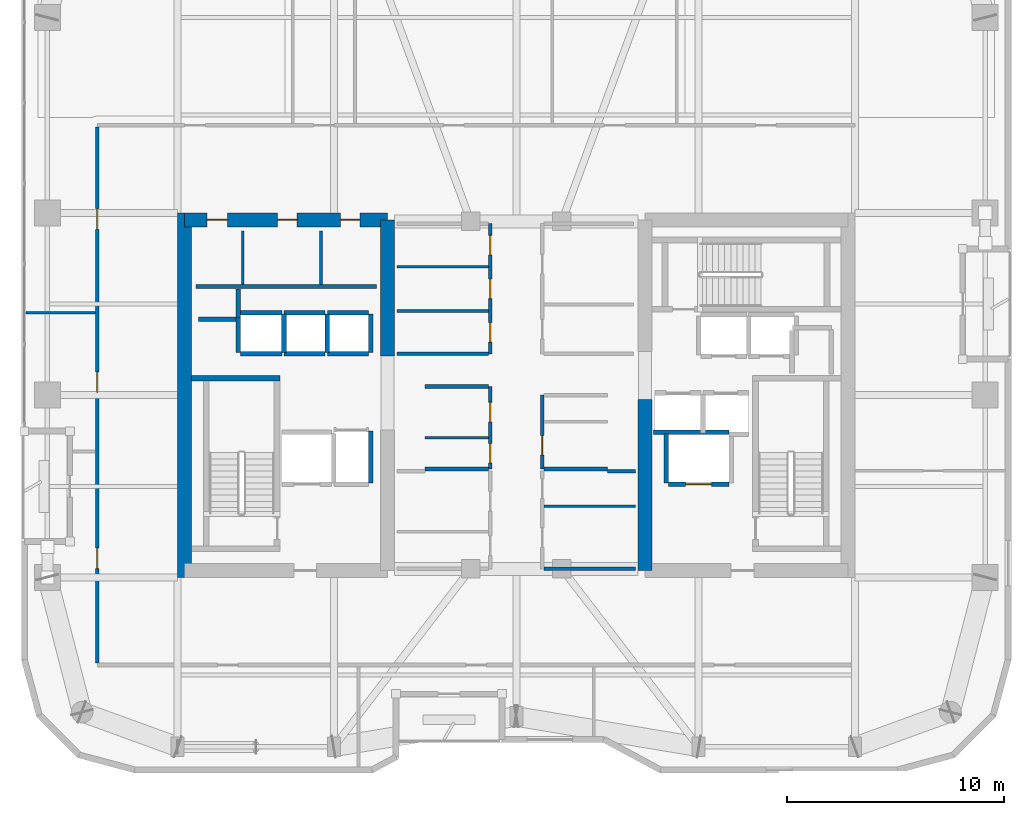
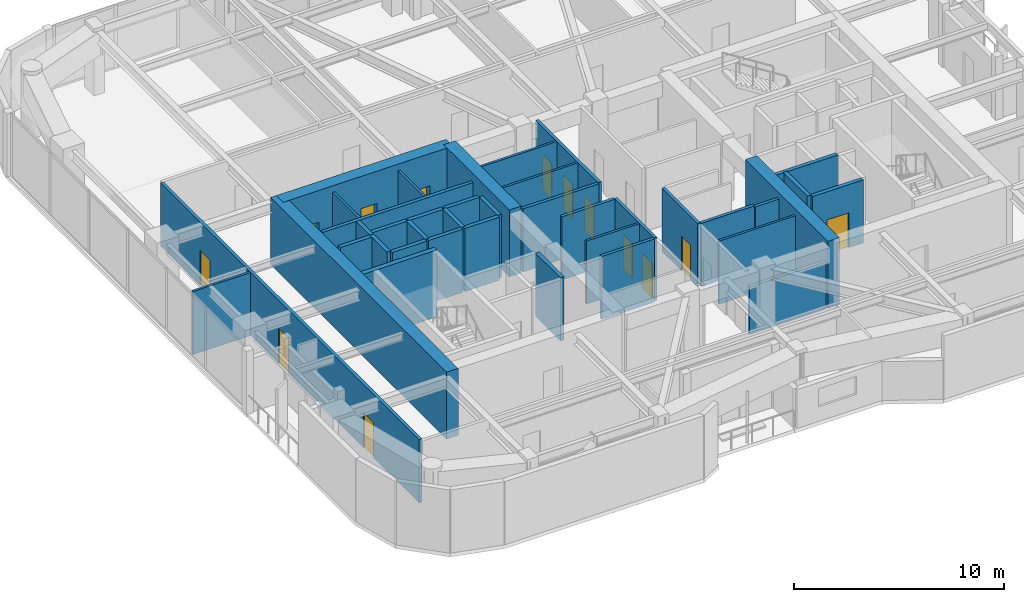
# One storey, part 16 of 21: 39 walls, 13 doors, 13 openings.
"""IFC4 building model written with IfcOpenShell, lengths in metres."""

from ifc_helpers import new_model, si_unit, direction, frame, frame_2d, origin, place, context, subcontext, project, spatial, rectangle, extrude, material, layer, layer_set, type_object, element, fill, save


model = new_model("IFC4")

# Units and contexts
model_context = context("Model", 3, precision=1e-05, world=origin(), true_north=direction((0.0, 1.0)))
body_context = subcontext(model_context, "Body", "Model", "MODEL_VIEW")
ifc_project = project(units=[si_unit("LENGTHUNIT", "METRE"), si_unit("AREAUNIT", "SQUARE_METRE"), si_unit("VOLUMEUNIT", "CUBIC_METRE"), si_unit("PLANEANGLEUNIT", "RADIAN"), si_unit("MASSUNIT", "GRAM", prefix="KILO")], contexts=[model_context])

# Site, building, storey
site_placement = place(None, origin())
site = spatial("IfcSite", under=ifc_project, at=site_placement, CompositionType="ELEMENT")
building_placement = place(site_placement, origin())
building = spatial("IfcBuilding", under=site, at=building_placement, Name="Kiyonajd Concourse Tower", CompositionType="ELEMENT")
storey_placement = place(building_placement, frame((0.0, 0.0, 219.300048828125)))
storey = spatial("IfcBuildingStorey", under=building, at=storey_placement, Name="L55", CompositionType="ELEMENT", Elevation=219.300048828125)

# Walls
ifc_material_1 = material(Name="Concrete C60/75", Category="concrete")
ifc_layer_1 = layer(ifc_material_1, 0.64990234375)
ifc_layer_set_1 = layer_set([ifc_layer_1], Name="Concrete C60/75")
wall_type_1 = type_object("IfcWallType", Name="WL-CORE-650", PredefinedType="SHEAR", material=ifc_layer_set_1)
wall_1_placement = place(storey_placement, frame((32.72509765625, 27.60009765625, 0.0), z_axis=(0.0, 0.0, 1.0), x_axis=(0.0, 1.0, 0.0)))
element("IfcWall", 1, at=wall_1_placement, inside=storey, type_object=wall_type_1, Name="L55 West Core Outer Shear Wall", PredefinedType="SHEAR", context=body_context, shape_type="SweptSolid", body=[
    extrude(rectangle(XDim=16.7998046875, YDim=0.64990234375, at=frame_2d((8.39990234375, 0.0))), origin(), (0.0, 0.0, 1.0), 3.89990234375),
])
wall_2_placement = place(storey_placement, frame((42.074951171875, 37.800048828125, 0.0), z_axis=(0.0, 0.0, 1.0), x_axis=(0.0, 1.0, 0.0)))
element("IfcWall", 2, at=wall_2_placement, inside=storey, type_object=wall_type_1, Name="L55 West Core Inner North Shear Wall", PredefinedType="SHEAR", context=body_context, shape_type="SweptSolid", body=[
    extrude(rectangle(XDim=6.27490234375, YDim=0.64990234375, at=frame_2d((3.137451171875, 0.0))), origin(), (0.0, 0.0, 1.0), 3.89990234375),
])

# Wall, openings, doors
wall_3_placement = place(storey_placement, frame((32.72509765625, 44.074951171875, 0.0), z_axis=(0.0, 0.0, 1.0), x_axis=(1.0, 0.0, 0.0)))
wall_3 = element("IfcWall", 3, at=wall_3_placement, inside=storey, type_object=wall_type_1, Name="L55 West Core North Shear Wall", PredefinedType="SHEAR", context=body_context, shape_type="SweptSolid", body=[
    extrude(rectangle(XDim=9.349853515625, YDim=0.64990234375, at=frame_2d((4.6748046875, 0.0))), origin(), (0.0, 0.0, 1.0), 3.89990234375),
])
opening_1_placement = place(wall_3_placement, frame((1.02490234375, 0.0, 0.0)))
opening_1 = element("IfcOpeningElement", 4, at=opening_1_placement, cuts=wall_3, Name="Opening DI1", PredefinedType="OPENING", context=body_context, shape_type="SweptSolid", body=[
    extrude(rectangle(XDim=0.949951171875, YDim=2.0400390625, at=frame_2d((0.47509765625, 1.02001953125))), frame((0.0, 0.3349609375, 0.0), z_axis=(0.0, -1.0, 0.0), x_axis=(1.0, 0.0, 0.0)), (0.0, 0.0, 1.0), 0.669921875),
])
opening_2_placement = place(wall_3_placement, frame((4.27490234375, 0.0, 0.0)))
opening_2 = element("IfcOpeningElement", 5, at=opening_2_placement, cuts=wall_3, Name="Opening DI2", PredefinedType="OPENING", context=body_context, shape_type="SweptSolid", body=[
    extrude(rectangle(XDim=0.89990234375, YDim=2.02001953125, at=frame_2d((0.449951171875, 1.010009765625))), frame((0.0, 0.3349609375, 0.0), z_axis=(0.0, -1.0, 0.0), x_axis=(1.0, 0.0, 0.0)), (0.0, 0.0, 1.0), 0.669921875),
])
opening_3_placement = place(wall_3_placement, frame((7.175048828125, 0.0, 0.0)))
opening_3 = element("IfcOpeningElement", 6, at=opening_3_placement, cuts=wall_3, Name="Opening DI2", PredefinedType="OPENING", context=body_context, shape_type="SweptSolid", body=[
    extrude(rectangle(XDim=0.89990234375, YDim=2.02001953125, at=frame_2d((0.449951171875, 1.010009765625))), frame((0.0, 0.3349609375, 0.0), z_axis=(0.0, -1.0, 0.0), x_axis=(1.0, 0.0, 0.0)), (0.0, 0.0, 1.0), 0.669921875),
])
ifc_material_2 = material(Name="Natural Oak Acoustic Timber Veneer", Category="wood")
door_type_1 = type_object("IfcDoorType", Name="DR-INT-900", OperationType="NOTDEFINED", PredefinedType="DOOR", material=ifc_material_2)
door_1_placement = place(opening_2_placement, origin())
door_1 = element("IfcDoor", 7, at=door_1_placement, inside=storey, type_object=door_type_1, Name="L55 Male Restroom Door", OperationType="SINGLE_SWING_RIGHT", OverallHeight=2.02001953125, OverallWidth=0.89990234375, PredefinedType="DOOR", context=body_context, shape_type="SweptSolid", body=[
    extrude(rectangle(XDim=0.89990234375, YDim=2.02001953125, at=frame_2d((0.449951171875, 1.010009765625))), frame((0.0, 0.02490234375, 0.0), z_axis=(0.0, -1.0, 0.0), x_axis=(1.0, 0.0, 0.0)), (0.0, 0.0, 1.0), 0.050048828125),
])
fill(opening_2, door_1)
door_2_placement = place(opening_3_placement, origin())
door_2 = element("IfcDoor", 8, at=door_2_placement, inside=storey, type_object=door_type_1, Name="L55 Female Restroom Door", OperationType="SINGLE_SWING_LEFT", OverallHeight=2.02001953125, OverallWidth=0.89990234375, PredefinedType="DOOR", context=body_context, shape_type="SweptSolid", body=[
    extrude(rectangle(XDim=0.89990234375, YDim=2.02001953125, at=frame_2d((0.449951171875, 1.010009765625))), frame((0.0, 0.02490234375, 0.0), z_axis=(0.0, -1.0, 0.0), x_axis=(1.0, 0.0, 0.0)), (0.0, 0.0, 1.0), 0.050048828125),
])
fill(opening_3, door_2)
door_type_2 = type_object("IfcDoorType", Name="DR-INT-950", OperationType="NOTDEFINED", PredefinedType="DOOR", material=ifc_material_2)
door_3_placement = place(opening_1_placement, origin())
door_3 = element("IfcDoor", 9, at=door_3_placement, inside=storey, type_object=door_type_2, Name="L55 Single User Accessible WC Door", OperationType="SINGLE_SWING_LEFT", OverallHeight=2.0400390625, OverallWidth=0.949951171875, PredefinedType="DOOR", context=body_context, shape_type="SweptSolid", body=[
    extrude(rectangle(XDim=0.949951171875, YDim=2.0400390625, at=frame_2d((0.47509765625, 1.02001953125))), frame((0.0, 0.02490234375, 0.0), z_axis=(0.0, -1.0, 0.0), x_axis=(1.0, 0.0, 0.0)), (0.0, 0.0, 1.0), 0.050048828125),
])
fill(opening_1, door_3)

# Walls
wall_4_placement = place(storey_placement, frame((53.925048828125, 27.925048828125, 0.0), z_axis=(0.0, 0.0, 1.0), x_axis=(0.0, 1.0, 0.0)))
element("IfcWall", 10, at=wall_4_placement, inside=storey, type_object=wall_type_1, Name="L55 East Core Inner South Shear Wall", PredefinedType="SHEAR", context=body_context, shape_type="SweptSolid", body=[
    extrude(rectangle(XDim=7.875, YDim=0.64990234375, at=frame_2d((3.9375, 0.0))), origin(), (0.0, 0.0, 1.0), 3.89990234375),
])
ifc_material_3 = material(Name="Gypsum Board on Cold-Formed Steel Stud", Category="steel")
ifc_layer_2 = layer(ifc_material_3, 0.125)
ifc_layer_set_2 = layer_set([ifc_layer_2], Name="Gypsum Board on Cold-Formed Steel Stud")
wall_type_2 = type_object("IfcWallType", Name="WL-PART-125", PredefinedType="PARTITIONING", material=ifc_layer_set_2)
for number, where, z_axis, x_axis, name in (
    (11, (35.39990234375, 41.094970703125, 0.0), (0.0, 0.0, 1.0), (0.0, 1.0, 0.0), "L55 Interior Partition Wall"),
    (12, (39.0, 41.094970703125, 0.0), (0.0, 0.0, 1.0), (0.0, 1.0, 0.0), "L55 Interior Partition Wall"),
):
    element("IfcWall", number, at=place(storey_placement, frame(where, z_axis=z_axis, x_axis=x_axis)), inside=storey, type_object=wall_type_2, Name=name, PredefinedType="PARTITIONING", context=body_context, shape_type="SweptSolid", body=[
        extrude(rectangle(XDim=2.455078125, YDim=0.125, at=frame_2d((1.2275390625, 0.0))), origin(), (0.0, 0.0, 1.0), 3.679931640625),
    ])
wall_5_placement = place(storey_placement, frame((43.800048828125, 34.0439453125, 0.0), z_axis=(0.0, 0.0, 1.0), x_axis=(1.0, 0.0, 0.0)))
element("IfcWall", 13, at=wall_5_placement, inside=storey, type_object=wall_type_2, Name="L55 Interior Partition Wall", PredefinedType="PARTITIONING", context=body_context, shape_type="SweptSolid", body=[
    extrude(rectangle(XDim=2.912841796875, YDim=0.125, at=frame_2d((1.45654296875, 0.0))), origin(), (0.0, 0.0, 1.0), 3.679931640625),
])
for number, where, z_axis, x_axis, name in (
    (14, (49.287109375, 30.8798828125, 0.0), (0.0, 0.0, 1.0), (1.0, 0.0, 0.0), "L55 Interior Partition Wall"),
    (15, (42.5, 39.8798828125, 0.0), (0.0, 0.0, 1.0), (1.0, 0.0, 0.0), "L55 Interior Partition Wall"),
    (16, (42.5, 41.919921875, 0.0), (0.0, 0.0, 1.0), (1.0, 0.0, 0.0), "L55 Interior Partition Wall"),
):
    element("IfcWall", number, at=place(storey_placement, frame(where, z_axis=z_axis, x_axis=x_axis)), inside=storey, type_object=wall_type_2, Name=name, PredefinedType="PARTITIONING", context=body_context, shape_type="SweptSolid", body=[
        extrude(rectangle(XDim=4.212890625, YDim=0.125, at=frame_2d((2.1064453125, 0.0))), origin(), (0.0, 0.0, 1.0), 3.679931640625),
    ])
wall_6_placement = place(storey_placement, frame((25.425048828125, 39.800048828125, 0.0), z_axis=(0.0, 0.0, 1.0), x_axis=(1.0, 0.0, 0.0)))
element("IfcWall", 17, at=wall_6_placement, inside=storey, type_object=wall_type_2, Name="L55 Interior Partition Wall", PredefinedType="PARTITIONING", context=body_context, shape_type="SweptSolid", body=[
    extrude(rectangle(XDim=3.18798828125, YDim=0.125, at=frame_2d((1.593994140625, 0.0))), origin(), (0.0, 0.0, 1.0), 3.679931640625),
])
ifc_layer_3 = layer(ifc_material_3, 0.18994140625)
ifc_layer_set_3 = layer_set([ifc_layer_3], Name="Gypsum Board on Cold-Formed Steel Stud")
wall_type_3 = type_object("IfcWallType", Name="WL-PLMB-190", PredefinedType="PLUMBINGWALL", material=ifc_layer_set_3)
wall_7_placement = place(storey_placement, frame((33.25, 41.0, 0.0), z_axis=(0.0, 0.0, 1.0), x_axis=(1.0, 0.0, 0.0)))
element("IfcWall", 18, at=wall_7_placement, inside=storey, type_object=wall_type_3, Name="L55 Interior Partition Wall", PredefinedType="PLUMBINGWALL", context=body_context, shape_type="SweptSolid", body=[
    extrude(rectangle(XDim=8.300048828125, YDim=0.18994140625, at=frame_2d((4.14990234375, 0.0))), origin(), (0.0, 0.0, 1.0), 3.679931640625),
])
ifc_layer_4 = layer(ifc_material_3, 0.2099609375)
ifc_layer_set_4 = layer_set([ifc_layer_4], Name="Gypsum Board on Cold-Formed Steel Stud")
wall_type_4 = type_object("IfcWallType", Name="WL-SHAFT-210", PredefinedType="PARTITIONING", material=ifc_layer_set_4)
wall_8_placement = place(storey_placement, frame((33.360107421875, 39.5, 0.0), z_axis=(0.0, 0.0, 1.0), x_axis=(1.0, 0.0, 0.0)))
element("IfcWall", 19, at=wall_8_placement, inside=storey, type_object=wall_type_4, Name="L55 Shaft Enclosure Wall", PredefinedType="PARTITIONING", context=body_context, shape_type="SweptSolid", body=[
    extrude(rectangle(XDim=1.85986328125, YDim=0.2099609375, at=frame_2d((0.929931640625, 0.0))), origin(), (0.0, 0.0, 1.0), 3.679931640625),
])
wall_9_placement = place(storey_placement, frame((35.199951171875, 39.580078125, 0.0), z_axis=(0.0, 0.0, 1.0), x_axis=(0.0, 1.0, 0.0)))
element("IfcWall", 20, at=wall_9_placement, inside=storey, type_object=wall_type_4, Name="L55 Shaft Enclosure Wall", PredefinedType="PARTITIONING", context=body_context, shape_type="SweptSolid", body=[
    extrude(rectangle(XDim=1.31982421875, YDim=0.2099609375, at=frame_2d((0.659912109375, 0.0))), origin(), (0.0, 0.0, 1.0), 3.679931640625),
])

# Wall, opening, door
wall_10_placement = place(storey_placement, frame((55.0, 31.89990234375, 0.0), z_axis=(0.0, 0.0, 1.0), x_axis=(1.0, 0.0, 0.0)))
wall_10 = element("IfcWall", 21, at=wall_10_placement, inside=storey, type_object=wall_type_4, Name="L55 Shaft Enclosure Wall", PredefinedType="PARTITIONING", context=body_context, shape_type="SweptSolid", body=[
    extrude(rectangle(XDim=2.800048828125, YDim=0.2099609375, at=frame_2d((1.39990234375, 0.0))), origin(), (0.0, 0.0, 1.0), 3.679931640625),
])
opening_4_placement = place(wall_10_placement, frame((0.800048828125, 0.0, 0.0)))
opening_4 = element("IfcOpeningElement", 22, at=opening_4_placement, cuts=wall_10, Name="Opening LD2", PredefinedType="OPENING", context=body_context, shape_type="SweptSolid", body=[
    extrude(rectangle(XDim=1.199951171875, YDim=2.0400390625, at=frame_2d((0.60009765625, 1.02001953125))), frame((0.0, 0.114990234375, 0.0), z_axis=(0.0, -1.0, 0.0), x_axis=(1.0, 0.0, 0.0)), (0.0, 0.0, 1.0), 0.22998046875),
])
ifc_material_4 = material(Name="Brushed Stainless Steel Cab Assembly", Category="steel")
door_type_3 = type_object("IfcDoorType", Name="DR-LD-1200", OperationType="DOUBLE_DOOR_SLIDING", PredefinedType="DOOR", material=ifc_material_4)
door_4_placement = place(opening_4_placement, origin())
door_4 = element("IfcDoor", 23, at=door_4_placement, inside=storey, type_object=door_type_3, Name="L55 Lift FFL2 Sliding Landing Door", OperationType="DOUBLE_DOOR_SLIDING", OverallHeight=2.0400390625, OverallWidth=1.199951171875, PredefinedType="DOOR", context=body_context, shape_type="SweptSolid", body=[
    extrude(rectangle(XDim=1.199951171875, YDim=2.0400390625, at=frame_2d((0.60009765625, 1.02001953125))), frame((0.0, 0.02490234375, 0.0), z_axis=(0.0, -1.0, 0.0), x_axis=(1.0, 0.0, 0.0)), (0.0, 0.0, 1.0), 0.050048828125),
])
fill(opening_4, door_4)

# Walls
wall_11_placement = place(storey_placement, frame((54.320068359375, 34.300048828125, 0.0), z_axis=(0.0, 0.0, 1.0), x_axis=(1.0, 0.0, 0.0)))
element("IfcWall", 24, at=wall_11_placement, inside=storey, type_object=wall_type_4, Name="L55 Shaft Enclosure Wall", PredefinedType="PARTITIONING", context=body_context, shape_type="SweptSolid", body=[
    extrude(rectangle(XDim=3.47998046875, YDim=0.2099609375, at=frame_2d((1.739990234375, 0.0))), origin(), (0.0, 0.0, 1.0), 3.679931640625),
])
wall_12_placement = place(storey_placement, frame((54.89990234375, 31.9599609375, 0.0), z_axis=(0.0, 0.0, 1.0), x_axis=(0.0, 1.0, 0.0)))
element("IfcWall", 25, at=wall_12_placement, inside=storey, type_object=wall_type_4, Name="L55 Shaft Enclosure Wall", PredefinedType="PARTITIONING", context=body_context, shape_type="SweptSolid", body=[
    extrude(rectangle(XDim=2.280029296875, YDim=0.2099609375, at=frame_2d((1.14013671875, 0.0))), origin(), (0.0, 0.0, 1.0), 3.679931640625),
])
wall_13_placement = place(storey_placement, frame((41.300048828125, 31.9599609375, 0.0), z_axis=(0.0, 0.0, 1.0), x_axis=(0.0, 1.0, 0.0)))
element("IfcWall", 26, at=wall_13_placement, inside=storey, type_object=wall_type_4, Name="L55 Shaft Enclosure Wall", PredefinedType="PARTITIONING", context=body_context, shape_type="SweptSolid", body=[
    extrude(rectangle(XDim=2.380126953125, YDim=0.2099609375, at=frame_2d((1.18994140625, 0.0))), origin(), (0.0, 0.0, 1.0), 3.679931640625),
])
for number, where, z_axis, x_axis, name in (
    (27, (35.300048828125, 37.89990234375, 0.0), (0.0, 0.0, 1.0), (1.0, 0.0, 0.0), "L55 Shaft Enclosure Wall"),
    (28, (35.300048828125, 39.800048828125, 0.0), (0.0, 0.0, 1.0), (1.0, 0.0, 0.0), "L55 Shaft Enclosure Wall"),
):
    element("IfcWall", number, at=place(storey_placement, frame(where, z_axis=z_axis, x_axis=x_axis)), inside=storey, type_object=wall_type_4, Name=name, PredefinedType="PARTITIONING", context=body_context, shape_type="SweptSolid", body=[
        extrude(rectangle(XDim=1.89990234375, YDim=0.2099609375, at=frame_2d((0.949951171875, 0.0))), origin(), (0.0, 0.0, 1.0), 3.679931640625),
    ])
wall_14_placement = place(storey_placement, frame((35.199951171875, 37.9599609375, 0.0), z_axis=(0.0, 0.0, 1.0), x_axis=(0.0, 1.0, 0.0)))
element("IfcWall", 29, at=wall_14_placement, inside=storey, type_object=wall_type_4, Name="L55 Shaft Enclosure Wall", PredefinedType="PARTITIONING", context=body_context, shape_type="SweptSolid", body=[
    extrude(rectangle(XDim=1.6201171875, YDim=0.2099609375, at=frame_2d((0.81005859375, 0.0))), origin(), (0.0, 0.0, 1.0), 3.679931640625),
])
wall_15_placement = place(storey_placement, frame((37.300048828125, 37.9599609375, 0.0), z_axis=(0.0, 0.0, 1.0), x_axis=(0.0, 1.0, 0.0)))
element("IfcWall", 30, at=wall_15_placement, inside=storey, type_object=wall_type_4, Name="L55 Shaft Enclosure Wall", PredefinedType="PARTITIONING", context=body_context, shape_type="SweptSolid", body=[
    extrude(rectangle(XDim=1.780029296875, YDim=0.2099609375, at=frame_2d((0.89013671875, 0.0))), origin(), (0.0, 0.0, 1.0), 3.679931640625),
])
for number, where, z_axis, x_axis, name in (
    (31, (37.300048828125, 37.89990234375, 0.0), (0.0, 0.0, 1.0), (1.0, 0.0, 0.0), "L55 Shaft Enclosure Wall"),
    (32, (37.300048828125, 39.800048828125, 0.0), (0.0, 0.0, 1.0), (1.0, 0.0, 0.0), "L55 Shaft Enclosure Wall"),
):
    element("IfcWall", number, at=place(storey_placement, frame(where, z_axis=z_axis, x_axis=x_axis)), inside=storey, type_object=wall_type_4, Name=name, PredefinedType="PARTITIONING", context=body_context, shape_type="SweptSolid", body=[
        extrude(rectangle(XDim=1.89990234375, YDim=0.2099609375, at=frame_2d((0.949951171875, 0.0))), origin(), (0.0, 0.0, 1.0), 3.679931640625),
    ])
wall_16_placement = place(storey_placement, frame((39.300048828125, 37.9599609375, 0.0), z_axis=(0.0, 0.0, 1.0), x_axis=(0.0, 1.0, 0.0)))
element("IfcWall", 33, at=wall_16_placement, inside=storey, type_object=wall_type_4, Name="L55 Shaft Enclosure Wall", PredefinedType="PARTITIONING", context=body_context, shape_type="SweptSolid", body=[
    extrude(rectangle(XDim=1.780029296875, YDim=0.2099609375, at=frame_2d((0.89013671875, 0.0))), origin(), (0.0, 0.0, 1.0), 3.679931640625),
])
for number, where, z_axis, x_axis, name in (
    (34, (39.300048828125, 37.89990234375, 0.0), (0.0, 0.0, 1.0), (1.0, 0.0, 0.0), "L55 Shaft Enclosure Wall"),
    (35, (39.300048828125, 39.800048828125, 0.0), (0.0, 0.0, 1.0), (1.0, 0.0, 0.0), "L55 Shaft Enclosure Wall"),
):
    element("IfcWall", number, at=place(storey_placement, frame(where, z_axis=z_axis, x_axis=x_axis)), inside=storey, type_object=wall_type_4, Name=name, PredefinedType="PARTITIONING", context=body_context, shape_type="SweptSolid", body=[
        extrude(rectangle(XDim=1.89990234375, YDim=0.2099609375, at=frame_2d((0.949951171875, 0.0))), origin(), (0.0, 0.0, 1.0), 3.679931640625),
    ])
wall_17_placement = place(storey_placement, frame((41.300048828125, 37.9599609375, 0.0), z_axis=(0.0, 0.0, 1.0), x_axis=(0.0, 1.0, 0.0)))
element("IfcWall", 36, at=wall_17_placement, inside=storey, type_object=wall_type_4, Name="L55 Shaft Enclosure Wall", PredefinedType="PARTITIONING", context=body_context, shape_type="SweptSolid", body=[
    extrude(rectangle(XDim=1.780029296875, YDim=0.2099609375, at=frame_2d((0.89013671875, 0.0))), origin(), (0.0, 0.0, 1.0), 3.679931640625),
])

# Wall, openings, doors
ifc_layer_5 = layer(ifc_material_3, 0.169921875)
ifc_layer_set_5 = layer_set([ifc_layer_5], Name="Gypsum Board on Cold-Formed Steel Stud")
wall_type_5 = type_object("IfcWallType", Name="WL-SMK-170", PredefinedType="PARTITIONING", material=ifc_layer_set_5)
wall_18_placement = place(storey_placement, frame((46.800048828125, 32.60009765625, 0.0), z_axis=(0.0, 0.0, 1.0), x_axis=(0.0, 1.0, 0.0)))
wall_18 = element("IfcWall", 37, at=wall_18_placement, inside=storey, type_object=wall_type_5, Name="L55 Interior Partition Wall", PredefinedType="PARTITIONING", context=body_context, shape_type="SweptSolid", body=[
    extrude(rectangle(XDim=3.7998046875, YDim=0.169921875, at=frame_2d((1.89990234375, 0.0))), origin(), (0.0, 0.0, 1.0), 3.679931640625),
])
opening_5_placement = place(wall_18_placement, frame((0.27197265625, 0.0, 0.0)))
opening_5 = element("IfcOpeningElement", 38, at=opening_5_placement, cuts=wall_18, Name="Opening DI2", PredefinedType="OPENING", context=body_context, shape_type="SweptSolid", body=[
    extrude(rectangle(XDim=0.89990234375, YDim=2.02001953125, at=frame_2d((0.449951171875, 1.010009765625))), frame((0.0, 0.094970703125, 0.0), z_axis=(0.0, -1.0, 0.0), x_axis=(1.0, 0.0, 0.0)), (0.0, 0.0, 1.0), 0.18994140625),
])
opening_6_placement = place(wall_18_placement, frame((2.172119140625, 0.0, 0.0)))
opening_6 = element("IfcOpeningElement", 39, at=opening_6_placement, cuts=wall_18, Name="Opening DI2", PredefinedType="OPENING", context=body_context, shape_type="SweptSolid", body=[
    extrude(rectangle(XDim=0.89990234375, YDim=2.02001953125, at=frame_2d((0.449951171875, 1.010009765625))), frame((0.0, 0.094970703125, 0.0), z_axis=(0.0, -1.0, 0.0), x_axis=(1.0, 0.0, 0.0)), (0.0, 0.0, 1.0), 0.18994140625),
])
door_5_placement = place(opening_5_placement, origin())
door_5 = element("IfcDoor", 40, at=door_5_placement, inside=storey, type_object=door_type_1, Name="L55 Interior Door", OperationType="SINGLE_SWING_RIGHT", OverallHeight=2.02001953125, OverallWidth=0.89990234375, PredefinedType="DOOR", context=body_context, shape_type="SweptSolid", body=[
    extrude(rectangle(XDim=0.89990234375, YDim=2.02001953125, at=frame_2d((0.449951171875, 1.010009765625))), frame((0.0, 0.02490234375, 0.0), z_axis=(0.0, -1.0, 0.0), x_axis=(1.0, 0.0, 0.0)), (0.0, 0.0, 1.0), 0.050048828125),
])
fill(opening_5, door_5)
door_6_placement = place(opening_6_placement, origin())
door_6 = element("IfcDoor", 41, at=door_6_placement, inside=storey, type_object=door_type_1, Name="L55 Interior Door", OperationType="SINGLE_SWING_LEFT", OverallHeight=2.02001953125, OverallWidth=0.89990234375, PredefinedType="DOOR", context=body_context, shape_type="SweptSolid", body=[
    extrude(rectangle(XDim=0.89990234375, YDim=2.02001953125, at=frame_2d((0.449951171875, 1.010009765625))), frame((0.0, 0.02490234375, 0.0), z_axis=(0.0, -1.0, 0.0), x_axis=(1.0, 0.0, 0.0)), (0.0, 0.0, 1.0), 0.050048828125),
])
fill(opening_6, door_6)

# Walls
for number, where, z_axis, x_axis, name in (
    (42, (43.800048828125, 32.60009765625, 0.0), (0.0, 0.0, 1.0), (1.0, 0.0, 0.0), "L55 Interior Partition Wall"),
    (43, (43.800048828125, 36.39990234375, 0.0), (0.0, 0.0, 1.0), (1.0, 0.0, 0.0), "L55 Interior Partition Wall"),
):
    element("IfcWall", number, at=place(storey_placement, frame(where, z_axis=z_axis, x_axis=x_axis)), inside=storey, type_object=wall_type_5, Name=name, PredefinedType="PARTITIONING", context=body_context, shape_type="SweptSolid", body=[
        extrude(rectangle(XDim=2.912841796875, YDim=0.169921875, at=frame_2d((1.45654296875, 0.0))), origin(), (0.0, 0.0, 1.0), 3.679931640625),
    ])

# Wall, opening, door
wall_19_placement = place(storey_placement, frame((49.199951171875, 32.60009765625, 0.0), z_axis=(0.0, 0.0, 1.0), x_axis=(0.0, 1.0, 0.0)))
wall_19 = element("IfcWall", 44, at=wall_19_placement, inside=storey, type_object=wall_type_5, Name="L55 Interior Partition Wall", PredefinedType="PARTITIONING", context=body_context, shape_type="SweptSolid", body=[
    extrude(rectangle(XDim=3.39990234375, YDim=0.169921875, at=frame_2d((1.699951171875, 0.0))), origin(), (0.0, 0.0, 1.0), 3.679931640625),
])
opening_7_placement = place(wall_19_placement, frame((0.637939453125, 0.0, 0.0)))
opening_7 = element("IfcOpeningElement", 45, at=opening_7_placement, cuts=wall_19, Name="Opening DF4", PredefinedType="OPENING", context=body_context, shape_type="SweptSolid", body=[
    extrude(rectangle(XDim=0.89990234375, YDim=2.02001953125, at=frame_2d((0.449951171875, 1.010009765625))), frame((0.0, 0.094970703125, 0.0), z_axis=(0.0, -1.0, 0.0), x_axis=(1.0, 0.0, 0.0)), (0.0, 0.0, 1.0), 0.18994140625),
])
door_type_4 = type_object("IfcDoorType", Name="DR-FD60-900", OperationType="NOTDEFINED", PredefinedType="DOOR", material=ifc_material_4)
door_7_placement = place(opening_7_placement, origin())
door_7 = element("IfcDoor", 46, at=door_7_placement, inside=storey, type_object=door_type_4, Name="L55 Interior Door", OperationType="SINGLE_SWING_RIGHT", OverallHeight=2.02001953125, OverallWidth=0.89990234375, PredefinedType="DOOR", context=body_context, shape_type="SweptSolid", body=[
    extrude(rectangle(XDim=0.89990234375, YDim=2.02001953125, at=frame_2d((0.449951171875, 1.010009765625))), frame((0.0, 0.02490234375, 0.0), z_axis=(0.0, -1.0, 0.0), x_axis=(1.0, 0.0, 0.0)), (0.0, 0.0, 1.0), 0.050048828125),
])
fill(opening_7, door_7)

# Walls
wall_20_placement = place(storey_placement, frame((49.287109375, 32.60009765625, 0.0), z_axis=(0.0, 0.0, 1.0), x_axis=(1.0, 0.0, 0.0)))
element("IfcWall", 47, at=wall_20_placement, inside=storey, type_object=wall_type_5, Name="L55 Interior Partition Wall", PredefinedType="PARTITIONING", context=body_context, shape_type="SweptSolid", body=[
    extrude(rectangle(XDim=2.912841796875, YDim=0.169921875, at=frame_2d((1.45654296875, 0.0))), origin(), (0.0, 0.0, 1.0), 3.679931640625),
])
wall_21_placement = place(storey_placement, frame((49.287109375, 28.0, 0.0), z_axis=(0.0, 0.0, 1.0), x_axis=(1.0, 0.0, 0.0)))
element("IfcWall", 48, at=wall_21_placement, inside=storey, type_object=wall_type_5, Name="L55 Interior Partition Wall", PredefinedType="PARTITIONING", context=body_context, shape_type="SweptSolid", body=[
    extrude(rectangle(XDim=4.212890625, YDim=0.169921875, at=frame_2d((2.1064453125, 0.0))), origin(), (0.0, 0.0, 1.0), 2.764892578125),
])
wall_22_placement = place(storey_placement, frame((52.199951171875, 32.5, 0.0), z_axis=(0.0, 0.0, 1.0), x_axis=(1.0, 0.0, 0.0)))
element("IfcWall", 49, at=wall_22_placement, inside=storey, type_object=wall_type_5, Name="L55 Interior Partition Wall", PredefinedType="PARTITIONING", context=body_context, shape_type="SweptSolid", body=[
    extrude(rectangle(XDim=1.300048828125, YDim=0.169921875, at=frame_2d((0.64990234375, 0.0))), origin(), (0.0, 0.0, 1.0), 3.679931640625),
])

# Wall, openings, doors
wall_23_placement = place(storey_placement, frame((46.800048828125, 37.89990234375, 0.0), z_axis=(0.0, 0.0, 1.0), x_axis=(0.0, 1.0, 0.0)))
wall_23 = element("IfcWall", 50, at=wall_23_placement, inside=storey, type_object=wall_type_5, Name="L55 Interior Partition Wall", PredefinedType="PARTITIONING", context=body_context, shape_type="SweptSolid", body=[
    extrude(rectangle(XDim=6.0, YDim=0.169921875, at=frame_2d((3.0, 0.0))), origin(), (0.0, 0.0, 1.0), 3.679931640625),
])
opening_8_placement = place(wall_23_placement, frame((0.5400390625, 0.0, 0.0)))
opening_8 = element("IfcOpeningElement", 51, at=opening_8_placement, cuts=wall_23, Name="Opening DI2", PredefinedType="OPENING", context=body_context, shape_type="SweptSolid", body=[
    extrude(rectangle(XDim=0.89990234375, YDim=2.02001953125, at=frame_2d((0.449951171875, 1.010009765625))), frame((0.0, 0.094970703125, 0.0), z_axis=(0.0, -1.0, 0.0), x_axis=(1.0, 0.0, 0.0)), (0.0, 0.0, 1.0), 0.18994140625),
])
opening_9_placement = place(wall_23_placement, frame((2.550048828125, 0.0, 0.0)))
opening_9 = element("IfcOpeningElement", 52, at=opening_9_placement, cuts=wall_23, Name="Opening DI2", PredefinedType="OPENING", context=body_context, shape_type="SweptSolid", body=[
    extrude(rectangle(XDim=0.89990234375, YDim=2.02001953125, at=frame_2d((0.449951171875, 1.010009765625))), frame((0.0, 0.094970703125, 0.0), z_axis=(0.0, -1.0, 0.0), x_axis=(1.0, 0.0, 0.0)), (0.0, 0.0, 1.0), 0.18994140625),
])
opening_10_placement = place(wall_23_placement, frame((4.56005859375, 0.0, 0.0)))
opening_10 = element("IfcOpeningElement", 53, at=opening_10_placement, cuts=wall_23, Name="Opening DI2", PredefinedType="OPENING", context=body_context, shape_type="SweptSolid", body=[
    extrude(rectangle(XDim=0.89990234375, YDim=2.02001953125, at=frame_2d((0.449951171875, 1.010009765625))), frame((0.0, 0.094970703125, 0.0), z_axis=(0.0, -1.0, 0.0), x_axis=(1.0, 0.0, 0.0)), (0.0, 0.0, 1.0), 0.18994140625),
])
door_8_placement = place(opening_8_placement, origin())
door_8 = element("IfcDoor", 54, at=door_8_placement, inside=storey, type_object=door_type_1, Name="L55 Interior Door", OperationType="SINGLE_SWING_LEFT", OverallHeight=2.02001953125, OverallWidth=0.89990234375, PredefinedType="DOOR", context=body_context, shape_type="SweptSolid", body=[
    extrude(rectangle(XDim=0.89990234375, YDim=2.02001953125, at=frame_2d((0.449951171875, 1.010009765625))), frame((0.0, 0.02490234375, 0.0), z_axis=(0.0, -1.0, 0.0), x_axis=(1.0, 0.0, 0.0)), (0.0, 0.0, 1.0), 0.050048828125),
])
fill(opening_8, door_8)
door_9_placement = place(opening_9_placement, origin())
door_9 = element("IfcDoor", 55, at=door_9_placement, inside=storey, type_object=door_type_1, Name="L55 Interior Door", OperationType="SINGLE_SWING_RIGHT", OverallHeight=2.02001953125, OverallWidth=0.89990234375, PredefinedType="DOOR", context=body_context, shape_type="SweptSolid", body=[
    extrude(rectangle(XDim=0.89990234375, YDim=2.02001953125, at=frame_2d((0.449951171875, 1.010009765625))), frame((0.0, 0.02490234375, 0.0), z_axis=(0.0, -1.0, 0.0), x_axis=(1.0, 0.0, 0.0)), (0.0, 0.0, 1.0), 0.050048828125),
])
fill(opening_9, door_9)
door_10_placement = place(opening_10_placement, origin())
door_10 = element("IfcDoor", 56, at=door_10_placement, inside=storey, type_object=door_type_1, Name="L55 Interior Door", OperationType="SINGLE_SWING_LEFT", OverallHeight=2.02001953125, OverallWidth=0.89990234375, PredefinedType="DOOR", context=body_context, shape_type="SweptSolid", body=[
    extrude(rectangle(XDim=0.89990234375, YDim=2.02001953125, at=frame_2d((0.449951171875, 1.010009765625))), frame((0.0, 0.02490234375, 0.0), z_axis=(0.0, -1.0, 0.0), x_axis=(1.0, 0.0, 0.0)), (0.0, 0.0, 1.0), 0.050048828125),
])
fill(opening_10, door_10)

# Wall
wall_24_placement = place(storey_placement, frame((42.5, 37.89990234375, 0.0), z_axis=(0.0, 0.0, 1.0), x_axis=(1.0, 0.0, 0.0)))
element("IfcWall", 57, at=wall_24_placement, inside=storey, type_object=wall_type_5, Name="L55 Interior Partition Wall", PredefinedType="PARTITIONING", context=body_context, shape_type="SweptSolid", body=[
    extrude(rectangle(XDim=4.212890625, YDim=0.169921875, at=frame_2d((2.1064453125, 0.0))), origin(), (0.0, 0.0, 1.0), 3.679931640625),
])

# Wall, openings, doors
wall_25_placement = place(storey_placement, frame((28.699951171875, 23.656982421875, 0.0), z_axis=(0.0, 0.0, 1.0), x_axis=(0.0, 1.0, 0.0)))
wall_25 = element("IfcWall", 58, at=wall_25_placement, inside=storey, type_object=wall_type_5, Name="L55 Interior Partition Wall", PredefinedType="PARTITIONING", context=body_context, shape_type="SweptSolid", body=[
    extrude(rectangle(XDim=24.68603515625, YDim=0.169921875, at=frame_2d((12.343017578125, 0.0))), origin(), (0.0, 0.0, 1.0), 3.679931640625),
])
opening_11_placement = place(wall_25_placement, frame((4.35302734375, 0.0, 0.0)))
opening_11 = element("IfcOpeningElement", 59, at=opening_11_placement, cuts=wall_25, Name="Opening DI1", PredefinedType="OPENING", context=body_context, shape_type="SweptSolid", body=[
    extrude(rectangle(XDim=0.949951171875, YDim=2.0400390625, at=frame_2d((0.47509765625, 1.02001953125))), frame((0.0, 0.094970703125, 0.0), z_axis=(0.0, -1.0, 0.0), x_axis=(1.0, 0.0, 0.0)), (0.0, 0.0, 1.0), 0.18994140625),
])
opening_12_placement = place(wall_25_placement, frame((12.468017578125, 0.0, 0.0)))
opening_12 = element("IfcOpeningElement", 60, at=opening_12_placement, cuts=wall_25, Name="Opening DI1", PredefinedType="OPENING", context=body_context, shape_type="SweptSolid", body=[
    extrude(rectangle(XDim=0.949951171875, YDim=2.0400390625, at=frame_2d((0.47509765625, 1.02001953125))), frame((0.0, 0.094970703125, 0.0), z_axis=(0.0, -1.0, 0.0), x_axis=(1.0, 0.0, 0.0)), (0.0, 0.0, 1.0), 0.18994140625),
])
opening_13_placement = place(wall_25_placement, frame((19.98291015625, 0.0, 0.0)))
opening_13 = element("IfcOpeningElement", 61, at=opening_13_placement, cuts=wall_25, Name="Opening DI1", PredefinedType="OPENING", context=body_context, shape_type="SweptSolid", body=[
    extrude(rectangle(XDim=0.949951171875, YDim=2.0400390625, at=frame_2d((0.47509765625, 1.02001953125))), frame((0.0, 0.094970703125, 0.0), z_axis=(0.0, -1.0, 0.0), x_axis=(1.0, 0.0, 0.0)), (0.0, 0.0, 1.0), 0.18994140625),
])
door_11_placement = place(opening_11_placement, origin())
door_11 = element("IfcDoor", 62, at=door_11_placement, inside=storey, type_object=door_type_2, Name="L55 Interior Door", OperationType="SINGLE_SWING_RIGHT", OverallHeight=2.0400390625, OverallWidth=0.949951171875, PredefinedType="DOOR", context=body_context, shape_type="SweptSolid", body=[
    extrude(rectangle(XDim=0.949951171875, YDim=2.0400390625, at=frame_2d((0.47509765625, 1.02001953125))), frame((0.0, 0.02490234375, 0.0), z_axis=(0.0, -1.0, 0.0), x_axis=(1.0, 0.0, 0.0)), (0.0, 0.0, 1.0), 0.050048828125),
])
fill(opening_11, door_11)
door_12_placement = place(opening_12_placement, origin())
door_12 = element("IfcDoor", 63, at=door_12_placement, inside=storey, type_object=door_type_2, Name="L55 Interior Door", OperationType="SINGLE_SWING_LEFT", OverallHeight=2.0400390625, OverallWidth=0.949951171875, PredefinedType="DOOR", context=body_context, shape_type="SweptSolid", body=[
    extrude(rectangle(XDim=0.949951171875, YDim=2.0400390625, at=frame_2d((0.47509765625, 1.02001953125))), frame((0.0, 0.02490234375, 0.0), z_axis=(0.0, -1.0, 0.0), x_axis=(1.0, 0.0, 0.0)), (0.0, 0.0, 1.0), 0.050048828125),
])
fill(opening_12, door_12)
door_13_placement = place(opening_13_placement, origin())
door_13 = element("IfcDoor", 64, at=door_13_placement, inside=storey, type_object=door_type_2, Name="L55 Interior Door", OperationType="SINGLE_SWING_RIGHT", OverallHeight=2.0400390625, OverallWidth=0.949951171875, PredefinedType="DOOR", context=body_context, shape_type="SweptSolid", body=[
    extrude(rectangle(XDim=0.949951171875, YDim=2.0400390625, at=frame_2d((0.47509765625, 1.02001953125))), frame((0.0, 0.02490234375, 0.0), z_axis=(0.0, -1.0, 0.0), x_axis=(1.0, 0.0, 0.0)), (0.0, 0.0, 1.0), 0.050048828125),
])
fill(opening_13, door_13)

# Wall
ifc_material_5 = material(Name="Concrete C50/60", Category="concrete")
ifc_layer_6 = layer(ifc_material_5, 0.260009765625)
ifc_layer_set_6 = layer_set([ifc_layer_6], Name="Concrete C50/60")
wall_type_6 = type_object("IfcWallType", Name="WL-STAIR-260", PredefinedType="SHEAR", material=ifc_layer_set_6)
wall_26_placement = place(storey_placement, frame((33.050048828125, 36.780029296875, 0.0), z_axis=(0.0, 0.0, 1.0), x_axis=(1.0, 0.0, 0.0)))
element("IfcWall", 65, at=wall_26_placement, inside=storey, type_object=wall_type_6, Name="L55 Stair ST1 Structural North Wall", PredefinedType="SHEAR", context=body_context, shape_type="SweptSolid", body=[
    extrude(rectangle(XDim=4.06005859375, YDim=0.260009765625, at=frame_2d((2.030029296875, 0.0))), origin(), (0.0, 0.0, 1.0), 3.89990234375),
])

save(model, "model.ifc")
